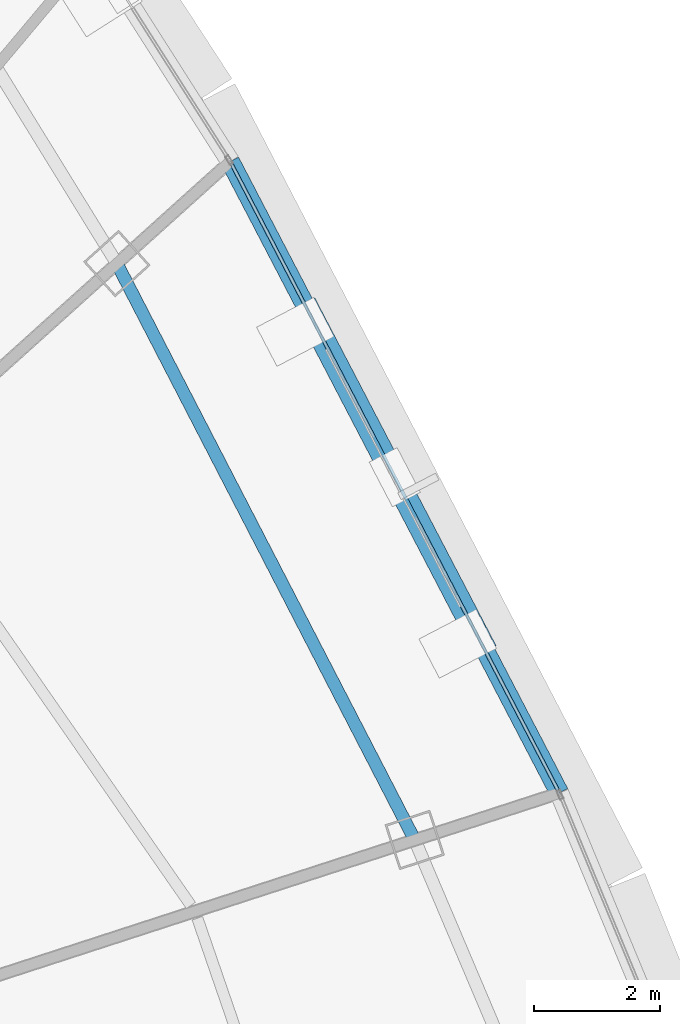
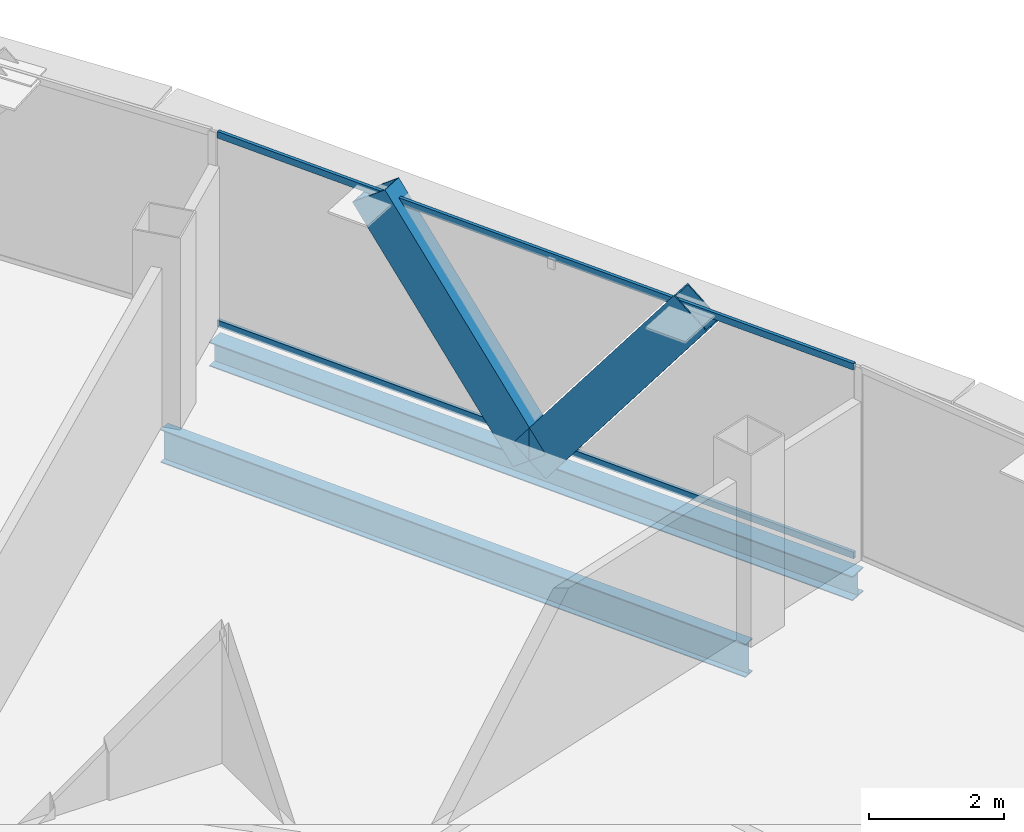
# One storey, part 19 of 39: 4 members, 2 beams, 1 element without a shape of its own.
"""IFC4 building model written with IfcOpenShell, lengths in metres."""

from ifc_helpers import new_model, si_unit, direction, frame, origin, origin_2d, place, context, subcontext, project, spatial, hollow_rectangle, i_section, extrude, source, transform, mapped, material, layer, layer_set, material_profile, profile_set, type_object, element, aggregate, save


model = new_model("IFC4")

# Units and contexts
model_context = context("Model", 3, precision=1e-05, world=origin(), true_north=direction((0.0, 1.0)))
body_context = subcontext(model_context, "Body", "Model", "MODEL_VIEW")
ifc_project = project(units=[si_unit("LENGTHUNIT", "METRE"), si_unit("AREAUNIT", "SQUARE_METRE"), si_unit("VOLUMEUNIT", "CUBIC_METRE"), si_unit("PLANEANGLEUNIT", "RADIAN"), si_unit("MASSUNIT", "GRAM", prefix="KILO"), si_unit("THERMODYNAMICTEMPERATUREUNIT", "KELVIN"), si_unit("POWERUNIT", "WATT")], contexts=[model_context])

# Site, building, storey
site_placement = place(None, origin())
site = spatial("IfcSite", under=ifc_project, at=site_placement, CompositionType="ELEMENT")
building_placement = place(site_placement, origin())
building = spatial("IfcBuilding", under=site, at=building_placement, Name="Yunzhuo Pagoda Commons", CompositionType="ELEMENT")
storey_placement = place(building_placement, frame((0.0, 0.0, 296.2099609375)))
storey = spatial("IfcBuildingStorey", under=building, at=storey_placement, Name="L74", CompositionType="ELEMENT", Elevation=296.2099609375)

# Beams
ifc_material_1 = material(Name="Structural steel Q355B", Category="steel")
ifc_material_profile_1 = material_profile(ifc_material_1, i_section(OverallWidth=0.199951171875, OverallDepth=0.60009765625, WebThickness=0.010986328125, FlangeThickness=0.01708984375, at=origin_2d()), Name="Structural steel Q355B")
ifc_profile_set_1 = profile_set([ifc_material_profile_1], Name="Structural steel Q355B")
beam_type_1 = type_object("IfcBeamType", Name="B-RG3 Beam HN 600x200x11x17", PredefinedType="BEAM", material=ifc_profile_set_1)
shared_shape_1 = source(origin(), body_context, "Body", "SweptSolid", [
    extrude(i_section(OverallWidth=0.199951171875, OverallDepth=0.60009765625, WebThickness=0.010986328125, FlangeThickness=0.01708984375, at=origin_2d()), origin(), (0.0, 0.0, 1.0), 10.3017578125),
])
beam_1_placement = place(storey_placement, frame((71.302490234375, 41.271484375, -0.56005859375), z_axis=(-0.459070867827, 0.888399650108, 0.0), x_axis=(-0.888399650108, -0.459070867827, 0.0)))
element("IfcBeam", 1, at=beam_1_placement, inside=storey, type_object=beam_type_1, Name="L74 column-ring beam 6", PredefinedType="BEAM", context=body_context, shape_type="MappedRepresentation", body=[
    mapped(shared_shape_1, transform((0.0, 0.0, 0.0), scale=1.0)),
])
ifc_material_profile_2 = material_profile(ifc_material_1, i_section(OverallWidth=0.300048828125, OverallDepth=0.43994140625, WebThickness=0.010986328125, FlangeThickness=0.01806640625, at=origin_2d()), Name="Structural steel Q355B")
ifc_profile_set_2 = profile_set([ifc_material_profile_2], Name="Structural steel Q355B")
beam_type_2 = type_object("IfcBeamType", Name="B-SP2 Beam HM 440x300x11x18", PredefinedType="BEAM", material=ifc_profile_set_2)
shared_shape_2 = source(origin(), body_context, "Body", "SweptSolid", [
    extrude(i_section(OverallWidth=0.300048828125, OverallDepth=0.43994140625, WebThickness=0.010986328125, FlangeThickness=0.01806640625, at=origin_2d()), origin(), (0.0, 0.0, 1.0), 11.306640625),
])
beam_2_placement = place(storey_placement, frame((73.59912109375, 42.017578125, -0.479736328125), z_axis=(-0.462239065904, 0.886755347293, 0.0), x_axis=(-0.886755347293, -0.462239065904, 0.0)))
element("IfcBeam", 2, at=beam_2_placement, inside=storey, type_object=beam_type_2, Name="L74 facade edge spandrel beam F2.2", PredefinedType="BEAM", context=body_context, shape_type="MappedRepresentation", body=[
    mapped(shared_shape_2, transform((0.0, 0.0, 0.0), scale=1.0)),
])

# Members
ifc_material_profile_3 = material_profile(ifc_material_1, hollow_rectangle(XDim=0.3798828125, YDim=0.719970703125, WallThickness=0.02001953125, at=origin_2d()), Name="Structural steel Q355B")
ifc_profile_set_3 = profile_set([ifc_material_profile_3], Name="Structural steel Q355B")
member_type_1 = type_object("IfcMemberType", Name="M-DL3 Brace BOX 720x380x20", PredefinedType="BRACE", material=ifc_profile_set_3)
shared_shape_3 = source(origin(), body_context, "Body", "SweptSolid", [
    extrude(hollow_rectangle(XDim=0.3798828125, YDim=0.719970703125, WallThickness=0.02001953125, at=origin_2d()), origin(), (0.0, 0.0, 1.0), 4.68017578125),
])
for number, where, z_axis, x_axis, name in (
    (3, (70.98583984375, 47.03076171875, -0.260009765625), (0.279240565775, -0.535580588232, 0.796980639623), (0.886715706539, 0.462315104422, 0.0), "L74 facade diamond brace F2.2L"),
    (4, (70.98583984375, 47.03076171875, -0.260009765625), (-0.279184666524, 0.535625589662, 0.796969980411), (-0.886769562818, -0.462211793943, 0.0), "L74 facade diamond brace F2.2R"),
):
    element("IfcMember", number, at=place(storey_placement, frame(where, z_axis=z_axis, x_axis=x_axis)), inside=storey, type_object=member_type_1, Name=name, PredefinedType="BRACE", context=body_context, shape_type="MappedRepresentation", body=[
        mapped(shared_shape_3, transform((0.0, 0.0, 0.0), scale=1.0)),
    ])

# Curtain wall, members
ifc_material_2 = material(Name="Anodized aluminium 6063-T6", Category="aluminium")
ifc_layer = layer(ifc_material_2, 0.139892578125)
ifc_layer_set = layer_set([ifc_layer], Name="Anodized aluminium 6063-T6")
curtain_wall_type = type_object("IfcCurtainWallType", Name="CW-HI High-Zone Ribbon Curtain Wall", PredefinedType="NOTDEFINED", material=ifc_layer_set)
curtain_wall_placement = place(storey_placement, origin())
curtain_wall = element("IfcCurtainWall", 5, at=curtain_wall_placement, inside=storey, type_object=curtain_wall_type, Name="L74 curtain wall CW-L74-F2B3", PredefinedType="NOTDEFINED")
ifc_material_profile_4 = material_profile(ifc_material_2, hollow_rectangle(XDim=0.054931640625, YDim=0.1201171875, WallThickness=0.00341796875, at=origin_2d()), Name="Anodized aluminium 6063-T6")
ifc_profile_set_4 = profile_set([ifc_material_profile_4], Name="Anodized aluminium 6063-T6")
member_type_2 = type_object("IfcMemberType", Name="CW-HI-T Transom RHS 120x55x3.5", PredefinedType="USERDEFINED", material=ifc_profile_set_4)
shared_shape_4 = source(origin(), body_context, "Body", "SweptSolid", [
    extrude(hollow_rectangle(XDim=0.054931640625, YDim=0.1201171875, WallThickness=0.00341796875, at=origin_2d()), origin(), (0.0, 0.0, 1.0), 11.1865234375),
])
member_1_placement = place(storey_placement, frame((73.5712890625, 42.07080078125, 0.027587890625), z_axis=(-0.462217657155, 0.886766506705, 0.0), x_axis=(-0.886766506705, -0.462217657155, 0.0)))
member_1 = element("IfcMember", 6, at=member_1_placement, type_object=member_type_2, Name="CW transom 1.1", ObjectType="TRANSOM", PredefinedType="USERDEFINED", context=body_context, shape_type="MappedRepresentation", body=[
    mapped(shared_shape_4, transform((0.0, 0.0, 0.0), scale=1.0)),
])
member_2_placement = place(storey_placement, frame((73.5712890625, 42.07080078125, 3.442626953125), z_axis=(-0.462217657155, 0.886766506705, 0.0), x_axis=(-0.886766506705, -0.462217657155, 0.0)))
member_2 = element("IfcMember", 7, at=member_2_placement, type_object=member_type_2, Name="CW transom 1.2", ObjectType="TRANSOM", PredefinedType="USERDEFINED", context=body_context, shape_type="MappedRepresentation", body=[
    mapped(shared_shape_4, transform((0.0, 0.0, 0.0), scale=1.0)),
])
aggregate(curtain_wall, [member_1, member_2])

save(model, "model.ifc")
